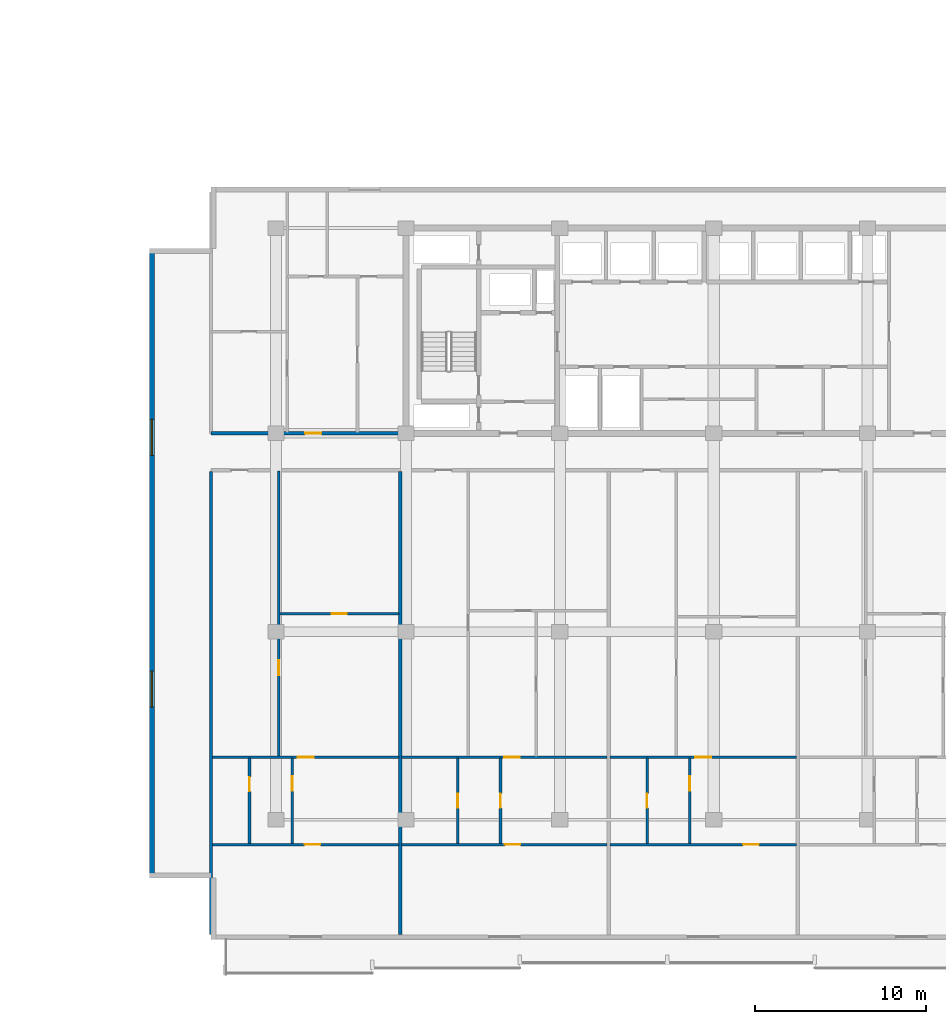
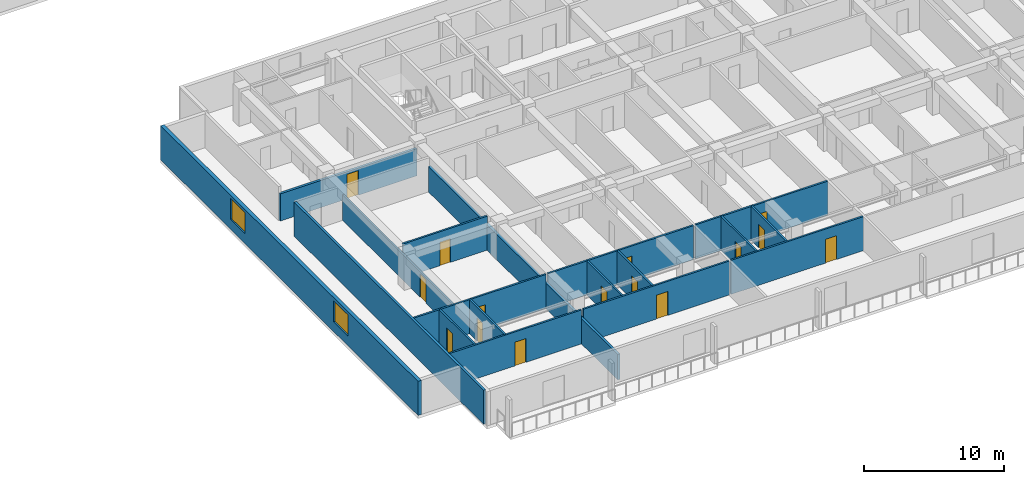
# One storey, part 4 of 23: 18 walls, 15 doors, 2 windows, 17 openings.
"""IFC4 building model written with IfcOpenShell, lengths in metres."""

from ifc_helpers import new_model, si_unit, direction, frame, frame_2d, origin, place, context, subcontext, project, spatial, rectangle, extrude, material, layer, layer_set, type_object, element, fill, save


model = new_model("IFC4")

# Units and contexts
model_context = context("Model", 3, precision=1e-05, world=origin(), true_north=direction((0.0, 1.0)))
body_context = subcontext(model_context, "Body", "Model", "MODEL_VIEW")
ifc_project = project(units=[si_unit("LENGTHUNIT", "METRE"), si_unit("AREAUNIT", "SQUARE_METRE"), si_unit("VOLUMEUNIT", "CUBIC_METRE"), si_unit("PLANEANGLEUNIT", "RADIAN"), si_unit("MASSUNIT", "GRAM", prefix="KILO")], contexts=[model_context])

# Site, building, storey
site_placement = place(None, origin())
site = spatial("IfcSite", under=ifc_project, at=site_placement, CompositionType="ELEMENT")
building_placement = place(site_placement, origin())
building = spatial("IfcBuilding", under=site, at=building_placement, Name="Korimba Cascade Residences", CompositionType="ELEMENT")
storey_placement = place(building_placement, frame((0.0, 0.0, 30.5)))
storey = spatial("IfcBuildingStorey", under=building, at=storey_placement, Name="L07", CompositionType="ELEMENT", Elevation=30.5)

# Wall, openings, windows
ifc_material_1 = material(Name="Precast concrete C40/50", Category="concrete")
ifc_layer_1 = layer(ifc_material_1, 0.300048828125)
ifc_layer_set_1 = layer_set([ifc_layer_1], Name="Precast concrete C40/50")
wall_type_1 = type_object("IfcWallType", Name="EW-STONE-300", PredefinedType="STANDARD", material=ifc_layer_set_1)
wall_1_placement = place(storey_placement, frame((67.25, 29.199951171875, 0.0), z_axis=(0.0, 0.0, 1.0), x_axis=(0.0, -1.0, 0.0)))
wall_1 = element("IfcWall", 1, at=wall_1_placement, inside=storey, type_object=wall_type_1, Name="L07 T2 Perimeter Stone Wall E09", PredefinedType="STANDARD", context=body_context, shape_type="SweptSolid", body=[
    extrude(rectangle(XDim=36.800048828125, YDim=0.300048828125, at=frame_2d((18.39990234375, 0.0))), origin(), (0.0, 0.0, 1.0), 2.969970703125),
])
opening_1_placement = place(wall_1_placement, frame((9.989990234375, 0.0, 0.85009765625)))
opening_1 = element("IfcOpeningElement", 2, at=opening_1_placement, cuts=wall_1, Name="Opening W-03", PredefinedType="OPENING", context=body_context, shape_type="SweptSolid", body=[
    extrude(rectangle(XDim=2.10009765625, YDim=1.85009765625, at=frame_2d((1.050048828125, 0.925048828125))), frame((0.0, 0.16015625, 0.0), z_axis=(0.0, -1.0, 0.0), x_axis=(1.0, 0.0, 0.0)), (0.0, 0.0, 1.0), 0.320068359375),
])
opening_2_placement = place(wall_1_placement, frame((24.7099609375, 0.0, 0.85009765625)))
opening_2 = element("IfcOpeningElement", 3, at=opening_2_placement, cuts=wall_1, Name="Opening W-03", PredefinedType="OPENING", context=body_context, shape_type="SweptSolid", body=[
    extrude(rectangle(XDim=2.10009765625, YDim=1.85009765625, at=frame_2d((1.050048828125, 0.925048828125))), frame((0.0, 0.16015625, 0.0), z_axis=(0.0, -1.0, 0.0), x_axis=(1.0, 0.0, 0.0)), (0.0, 0.0, 1.0), 0.320068359375),
])
ifc_material_2 = material(Name="Double-Glazed Aluminium Window", Category="aluminium")
window_type = type_object("IfcWindowType", Name="WIN-CRN-2100", PartitioningType="DOUBLE_PANEL_HORIZONTAL", PredefinedType="WINDOW", material=ifc_material_2)
window_1_placement = place(opening_1_placement, origin())
window_1 = element("IfcWindow", 4, at=window_1_placement, inside=storey, type_object=window_type, Name="L07 T2 End View Window 9.1", OverallHeight=1.85009765625, OverallWidth=2.10009765625, PartitioningType="DOUBLE_PANEL_HORIZONTAL", PredefinedType="WINDOW", context=body_context, shape_type="SweptSolid", body=[
    extrude(rectangle(XDim=2.10009765625, YDim=1.85009765625, at=frame_2d((1.050048828125, 0.925048828125))), frame((0.0, 0.030029296875, 0.0), z_axis=(0.0, -1.0, 0.0), x_axis=(1.0, 0.0, 0.0)), (0.0, 0.0, 1.0), 0.06005859375),
])
fill(opening_1, window_1)
window_2_placement = place(opening_2_placement, origin())
window_2 = element("IfcWindow", 5, at=window_2_placement, inside=storey, type_object=window_type, Name="L07 T2 End View Window 9.2", OverallHeight=1.85009765625, OverallWidth=2.10009765625, PartitioningType="DOUBLE_PANEL_HORIZONTAL", PredefinedType="WINDOW", context=body_context, shape_type="SweptSolid", body=[
    extrude(rectangle(XDim=2.10009765625, YDim=1.85009765625, at=frame_2d((1.050048828125, 0.925048828125))), frame((0.0, 0.030029296875, 0.0), z_axis=(0.0, -1.0, 0.0), x_axis=(1.0, 0.0, 0.0)), (0.0, 0.0, 1.0), 0.06005859375),
])
fill(opening_2, window_2)

# Wall, opening, door
ifc_layer_2 = layer(ifc_material_1, 0.199951171875)
ifc_layer_set_2 = layer_set([ifc_layer_2], Name="Precast concrete C40/50")
wall_type_2 = type_object("IfcWallType", Name="WAL-IT-200", PredefinedType="PARTITIONING", material=ifc_layer_set_2)
wall_2_placement = place(storey_placement, frame((70.699951171875, 18.39990234375, 0.0), z_axis=(0.0, 0.0, 1.0), x_axis=(1.0, 0.0, 0.0)))
wall_2 = element("IfcWall", 6, at=wall_2_placement, inside=storey, type_object=wall_type_2, Name="L07 Partition Wall WAL-L07-T2-FW-S", PredefinedType="PARTITIONING", context=body_context, shape_type="SweptSolid", body=[
    extrude(rectangle(XDim=11.25, YDim=0.199951171875, at=frame_2d((5.625, 0.0))), origin(), (0.0, 0.0, 1.0), 2.3701171875),
])
opening_3_placement = place(wall_2_placement, frame((5.50634765625, 0.0, 0.0)))
opening_3 = element("IfcOpeningElement", 7, at=opening_3_placement, cuts=wall_2, Name="Opening D-UN1", PredefinedType="OPENING", context=body_context, shape_type="SweptSolid", body=[
    extrude(rectangle(XDim=0.949951171875, YDim=2.14990234375, at=frame_2d((0.47509765625, 1.074951171875))), frame((0.0, 0.10986328125, 0.0), z_axis=(0.0, -1.0, 0.0), x_axis=(1.0, 0.0, 0.0)), (0.0, 0.0, 1.0), 0.219970703125),
])
ifc_material_3 = material(Name="Fire-Rated Hardwood Apartment Entrance Door", Category="wood")
door_type_1 = type_object("IfcDoorType", Name="DR-FD60-950", OperationType="NOTDEFINED", PredefinedType="DOOR", material=ifc_material_3)
door_1_placement = place(opening_3_placement, origin())
door_1 = element("IfcDoor", 8, at=door_1_placement, inside=storey, type_object=door_type_1, Name="L07-T2-FW Entrance Door", OperationType="SINGLE_SWING_LEFT", OverallHeight=2.14990234375, OverallWidth=0.949951171875, PredefinedType="DOOR", context=body_context, shape_type="SweptSolid", body=[
    extrude(rectangle(XDim=0.949951171875, YDim=2.14990234375, at=frame_2d((0.47509765625, 1.074951171875))), frame((0.0, 0.02490234375, 0.0), z_axis=(0.0, -1.0, 0.0), x_axis=(1.0, 0.0, 0.0)), (0.0, 0.0, 1.0), 0.050048828125),
])
fill(opening_3, door_1)

# Walls
wall_3_placement = place(storey_placement, frame((70.699951171875, -10.89990234375, 0.0), z_axis=(0.0, 0.0, 1.0), x_axis=(0.0, 1.0, 0.0)))
element("IfcWall", 9, at=wall_3_placement, inside=storey, type_object=wall_type_2, Name="L07 Partition Wall WAL-L07-T2-BNDWL", PredefinedType="PARTITIONING", context=body_context, shape_type="SweptSolid", body=[
    extrude(rectangle(XDim=27.06982421875, YDim=0.199951171875, at=frame_2d((13.534912109375, 0.0))), origin(), (0.0, 0.0, 1.0), 2.969970703125),
])
wall_4_placement = place(storey_placement, frame((81.771484375, -10.89990234375, 0.0), z_axis=(0.0, 0.0, 1.0), x_axis=(0.0, 1.0, 0.0)))
element("IfcWall", 10, at=wall_4_placement, inside=storey, type_object=wall_type_2, Name="L07 Partition Wall WAL-L07-T2-DEM-1", PredefinedType="PARTITIONING", context=body_context, shape_type="SweptSolid", body=[
    extrude(rectangle(XDim=27.06982421875, YDim=0.199951171875, at=frame_2d((13.534912109375, 0.0))), origin(), (0.0, 0.0, 1.0), 2.219970703125),
])

# Wall, opening, door
ifc_material_4 = material(Name="Insulated Acoustic Stud Partition", Category="gypsum")
ifc_layer_3 = layer(ifc_material_4, 0.14990234375)
ifc_layer_set_3 = layer_set([ifc_layer_3], Name="Insulated Acoustic Stud Partition")
wall_type_3 = type_object("IfcWallType", Name="WAL-PART-150", PredefinedType="PARTITIONING", material=ifc_layer_set_3)
wall_5_placement = place(storey_placement, frame((74.72998046875, 7.840087890625, 0.0), z_axis=(0.0, 0.0, 1.0), x_axis=(1.0, 0.0, 0.0)))
wall_5 = element("IfcWall", 11, at=wall_5_placement, inside=storey, type_object=wall_type_3, Name="L07 Partition Wall WAL-L07-T2-U01-FMH", PredefinedType="PARTITIONING", context=body_context, shape_type="SweptSolid", body=[
    extrude(rectangle(XDim=6.96142578125, YDim=0.14990234375, at=frame_2d((3.480712890625, 0.0))), origin(), (0.0, 0.0, 1.0), 2.969970703125),
])
opening_4_placement = place(wall_5_placement, frame((3.040771484375, 0.0, 0.0)))
opening_4 = element("IfcOpeningElement", 12, at=opening_4_placement, cuts=wall_5, Name="Opening D-IN2", PredefinedType="OPENING", context=body_context, shape_type="SweptSolid", body=[
    extrude(rectangle(XDim=0.8798828125, YDim=2.06005859375, at=frame_2d((0.43994140625, 1.030029296875))), frame((0.0, 0.0849609375, 0.0), z_axis=(0.0, -1.0, 0.0), x_axis=(1.0, 0.0, 0.0)), (0.0, 0.0, 1.0), 0.169921875),
])
ifc_material_5 = material(Name="Acoustic Timber Bedroom Door", Category="wood")
door_type_2 = type_object("IfcDoorType", Name="DR-INT-880", OperationType="NOTDEFINED", PredefinedType="DOOR", material=ifc_material_5)
door_2_placement = place(opening_4_placement, origin())
door_2 = element("IfcDoor", 13, at=door_2_placement, inside=storey, type_object=door_type_2, Name="L07-T2-U01 Library Salon Door", OperationType="SINGLE_SWING_RIGHT", OverallHeight=2.06005859375, OverallWidth=0.8798828125, PredefinedType="DOOR", context=body_context, shape_type="SweptSolid", body=[
    extrude(rectangle(XDim=0.8798828125, YDim=2.06005859375, at=frame_2d((0.43994140625, 1.030029296875))), frame((0.0, 0.02490234375, 0.0), z_axis=(0.0, -1.0, 0.0), x_axis=(1.0, 0.0, 0.0)), (0.0, 0.0, 1.0), 0.050048828125),
])
fill(opening_4, door_2)

wall_6_placement = place(storey_placement, frame((74.669921875, -0.510009765625, 0.0), z_axis=(0.0, 0.0, 1.0), x_axis=(0.0, 1.0, 0.0)))
wall_6 = element("IfcWall", 14, at=wall_6_placement, inside=storey, type_object=wall_type_3, Name="L07 Partition Wall WAL-L07-T2-U01-FV", PredefinedType="PARTITIONING", context=body_context, shape_type="SweptSolid", body=[
    extrude(rectangle(XDim=16.699951171875, YDim=0.14990234375, at=frame_2d((8.35009765625, 0.0))), origin(), (0.0, 0.0, 1.0), 2.219970703125),
])
opening_5_placement = place(wall_6_placement, frame((4.746826171875, 0.0, 0.0)))
opening_5 = element("IfcOpeningElement", 15, at=opening_5_placement, cuts=wall_6, Name="Opening D-IN2", PredefinedType="OPENING", context=body_context, shape_type="SweptSolid", body=[
    extrude(rectangle(XDim=0.8798828125, YDim=2.06005859375, at=frame_2d((0.43994140625, 1.030029296875))), frame((0.0, 0.0849609375, 0.0), z_axis=(0.0, -1.0, 0.0), x_axis=(1.0, 0.0, 0.0)), (0.0, 0.0, 1.0), 0.169921875),
])
door_3_placement = place(opening_5_placement, origin())
door_3 = element("IfcDoor", 16, at=door_3_placement, inside=storey, type_object=door_type_2, Name="L07-T2-U01 Media Lounge Door", OperationType="SINGLE_SWING_LEFT", OverallHeight=2.06005859375, OverallWidth=0.8798828125, PredefinedType="DOOR", context=body_context, shape_type="SweptSolid", body=[
    extrude(rectangle(XDim=0.8798828125, YDim=2.06005859375, at=frame_2d((0.43994140625, 1.030029296875))), frame((0.0, 0.02490234375, 0.0), z_axis=(0.0, -1.0, 0.0), x_axis=(1.0, 0.0, 0.0)), (0.0, 0.0, 1.0), 0.050048828125),
])
fill(opening_5, door_3)

wall_7_placement = place(storey_placement, frame((72.951416015625, -5.590087890625, 0.0), z_axis=(0.0, 0.0, 1.0), x_axis=(0.0, 1.0, 0.0)))
wall_7 = element("IfcWall", 17, at=wall_7_placement, inside=storey, type_object=wall_type_3, Name="L07 Partition Wall WAL-L07-T2-U01-CLS", PredefinedType="PARTITIONING", context=body_context, shape_type="SweptSolid", body=[
    extrude(rectangle(XDim=5.0, YDim=0.14990234375, at=frame_2d((2.5, 0.0))), origin(), (0.0, 0.0, 1.0), 2.969970703125),
])
opening_6_placement = place(wall_7_placement, frame((3.048828125, 0.0, 0.0)))
opening_6 = element("IfcOpeningElement", 18, at=opening_6_placement, cuts=wall_7, Name="Opening D-BT1", PredefinedType="OPENING", context=body_context, shape_type="SweptSolid", body=[
    extrude(rectangle(XDim=0.840087890625, YDim=2.0400390625, at=frame_2d((0.419921875, 1.02001953125))), frame((0.0, 0.0849609375, 0.0), z_axis=(0.0, -1.0, 0.0), x_axis=(1.0, 0.0, 0.0)), (0.0, 0.0, 1.0), 0.169921875),
])
ifc_material_6 = material(Name="Moisture-Resistant Bathroom Timber Door", Category="wood")
door_type_3 = type_object("IfcDoorType", Name="DR-INT-850", OperationType="NOTDEFINED", PredefinedType="DOOR", material=ifc_material_6)
door_4_placement = place(opening_6_placement, origin())
door_4 = element("IfcDoor", 19, at=door_4_placement, inside=storey, type_object=door_type_3, Name="L07-T2-U01 Closet Door", OperationType="SINGLE_SWING_RIGHT", OverallHeight=2.0400390625, OverallWidth=0.840087890625, PredefinedType="DOOR", context=body_context, shape_type="SweptSolid", body=[
    extrude(rectangle(XDim=0.840087890625, YDim=2.0400390625, at=frame_2d((0.419921875, 1.02001953125))), frame((0.0, 0.02490234375, 0.0), z_axis=(0.0, -1.0, 0.0), x_axis=(1.0, 0.0, 0.0)), (0.0, 0.0, 1.0), 0.050048828125),
])
fill(opening_6, door_4)

wall_8_placement = place(storey_placement, frame((75.451416015625, -5.590087890625, 0.0), z_axis=(0.0, 0.0, 1.0), x_axis=(0.0, 1.0, 0.0)))
wall_8 = element("IfcWall", 20, at=wall_8_placement, inside=storey, type_object=wall_type_3, Name="L07 Partition Wall WAL-L07-T2-U01-BM", PredefinedType="PARTITIONING", context=body_context, shape_type="SweptSolid", body=[
    extrude(rectangle(XDim=5.0, YDim=0.14990234375, at=frame_2d((2.5, 0.0))), origin(), (0.0, 0.0, 1.0), 2.969970703125),
])
opening_7_placement = place(wall_8_placement, frame((3.087890625, 0.0, 0.0)))
opening_7 = element("IfcOpeningElement", 21, at=opening_7_placement, cuts=wall_8, Name="Opening D-BT1", PredefinedType="OPENING", context=body_context, shape_type="SweptSolid", body=[
    extrude(rectangle(XDim=0.840087890625, YDim=2.0400390625, at=frame_2d((0.419921875, 1.02001953125))), frame((0.0, 0.0849609375, 0.0), z_axis=(0.0, -1.0, 0.0), x_axis=(1.0, 0.0, 0.0)), (0.0, 0.0, 1.0), 0.169921875),
])
door_5_placement = place(opening_7_placement, origin())
door_5 = element("IfcDoor", 22, at=door_5_placement, inside=storey, type_object=door_type_3, Name="L07-T2-U01 Bathroom Door", OperationType="SINGLE_SWING_LEFT", OverallHeight=2.0400390625, OverallWidth=0.840087890625, PredefinedType="DOOR", context=body_context, shape_type="SweptSolid", body=[
    extrude(rectangle(XDim=0.840087890625, YDim=2.0400390625, at=frame_2d((0.419921875, 1.02001953125))), frame((0.0, 0.02490234375, 0.0), z_axis=(0.0, -1.0, 0.0), x_axis=(1.0, 0.0, 0.0)), (0.0, 0.0, 1.0), 0.050048828125),
])
fill(opening_7, door_5)

wall_9_placement = place(storey_placement, frame((70.780029296875, -0.550048828125, 0.0), z_axis=(0.0, 0.0, 1.0), x_axis=(1.0, 0.0, 0.0)))
wall_9 = element("IfcWall", 23, at=wall_9_placement, inside=storey, type_object=wall_type_3, Name="L07 Partition Wall WAL-L07-T2-U01-MW", PredefinedType="PARTITIONING", context=body_context, shape_type="SweptSolid", body=[
    extrude(rectangle(XDim=10.911376953125, YDim=0.14990234375, at=frame_2d((5.45556640625, 0.0))), origin(), (0.0, 0.0, 1.0), 2.969970703125),
])
opening_8_placement = place(wall_9_placement, frame((4.99560546875, 0.0, 0.0)))
opening_8 = element("IfcOpeningElement", 24, at=opening_8_placement, cuts=wall_9, Name="Opening D-IN1", PredefinedType="OPENING", context=body_context, shape_type="SweptSolid", body=[
    extrude(rectangle(XDim=0.919921875, YDim=2.080078125, at=frame_2d((0.4599609375, 1.0400390625))), frame((0.0, 0.0849609375, 0.0), z_axis=(0.0, -1.0, 0.0), x_axis=(1.0, 0.0, 0.0)), (0.0, 0.0, 1.0), 0.169921875),
])
ifc_material_7 = material(Name="Acoustic Timber Living Door", Category="wood")
door_type_4 = type_object("IfcDoorType", Name="DR-INT-920", OperationType="NOTDEFINED", PredefinedType="DOOR", material=ifc_material_7)
door_6_placement = place(opening_8_placement, origin())
door_6 = element("IfcDoor", 25, at=door_6_placement, inside=storey, type_object=door_type_4, Name="L07-T2-U01 Studio Kitchen Door", OperationType="SINGLE_SWING_RIGHT", OverallHeight=2.080078125, OverallWidth=0.919921875, PredefinedType="DOOR", context=body_context, shape_type="SweptSolid", body=[
    extrude(rectangle(XDim=0.919921875, YDim=2.080078125, at=frame_2d((0.4599609375, 1.0400390625))), frame((0.0, 0.02490234375, 0.0), z_axis=(0.0, -1.0, 0.0), x_axis=(1.0, 0.0, 0.0)), (0.0, 0.0, 1.0), 0.050048828125),
])
fill(opening_8, door_6)

wall_10_placement = place(storey_placement, frame((70.780029296875, -5.64990234375, 0.0), z_axis=(0.0, 0.0, 1.0), x_axis=(1.0, 0.0, 0.0)))
wall_10 = element("IfcWall", 26, at=wall_10_placement, inside=storey, type_object=wall_type_3, Name="L07 Partition Wall WAL-L07-T2-U01-HZ", PredefinedType="PARTITIONING", context=body_context, shape_type="SweptSolid", body=[
    extrude(rectangle(XDim=10.911376953125, YDim=0.14990234375, at=frame_2d((5.45556640625, 0.0))), origin(), (0.0, 0.0, 1.0), 2.969970703125),
])
opening_9_placement = place(wall_10_placement, frame((5.3994140625, 0.0, 0.0)))
opening_9 = element("IfcOpeningElement", 27, at=opening_9_placement, cuts=wall_10, Name="Opening D-IN1", PredefinedType="OPENING", context=body_context, shape_type="SweptSolid", body=[
    extrude(rectangle(XDim=0.919921875, YDim=2.080078125, at=frame_2d((0.4599609375, 1.0400390625))), frame((0.0, 0.0849609375, 0.0), z_axis=(0.0, -1.0, 0.0), x_axis=(1.0, 0.0, 0.0)), (0.0, 0.0, 1.0), 0.169921875),
])
door_7_placement = place(opening_9_placement, origin())
door_7 = element("IfcDoor", 28, at=door_7_placement, inside=storey, type_object=door_type_4, Name="L07-T2-U01 Studio Door", OperationType="SINGLE_SWING_LEFT", OverallHeight=2.080078125, OverallWidth=0.919921875, PredefinedType="DOOR", context=body_context, shape_type="SweptSolid", body=[
    extrude(rectangle(XDim=0.919921875, YDim=2.080078125, at=frame_2d((0.4599609375, 1.0400390625))), frame((0.0, 0.02490234375, 0.0), z_axis=(0.0, -1.0, 0.0), x_axis=(1.0, 0.0, 0.0)), (0.0, 0.0, 1.0), 0.050048828125),
])
fill(opening_9, door_7)

wall_11_placement = place(storey_placement, frame((85.1298828125, -5.590087890625, 0.0), z_axis=(0.0, 0.0, 1.0), x_axis=(0.0, 1.0, 0.0)))
wall_11 = element("IfcWall", 29, at=wall_11_placement, inside=storey, type_object=wall_type_3, Name="L07 Partition Wall WAL-L07-T2-U02-CLS", PredefinedType="PARTITIONING", context=body_context, shape_type="SweptSolid", body=[
    extrude(rectangle(XDim=5.0, YDim=0.14990234375, at=frame_2d((2.5, 0.0))), origin(), (0.0, 0.0, 1.0), 2.969970703125),
])
opening_10_placement = place(wall_11_placement, frame((2.080078125, 0.0, 0.0)))
opening_10 = element("IfcOpeningElement", 30, at=opening_10_placement, cuts=wall_11, Name="Opening D-BT1", PredefinedType="OPENING", context=body_context, shape_type="SweptSolid", body=[
    extrude(rectangle(XDim=0.840087890625, YDim=2.0400390625, at=frame_2d((0.419921875, 1.02001953125))), frame((0.0, 0.0849609375, 0.0), z_axis=(0.0, -1.0, 0.0), x_axis=(1.0, 0.0, 0.0)), (0.0, 0.0, 1.0), 0.169921875),
])
door_8_placement = place(opening_10_placement, origin())
door_8 = element("IfcDoor", 31, at=door_8_placement, inside=storey, type_object=door_type_3, Name="L07-T2-U02 Closet Door", OperationType="SINGLE_SWING_LEFT", OverallHeight=2.0400390625, OverallWidth=0.840087890625, PredefinedType="DOOR", context=body_context, shape_type="SweptSolid", body=[
    extrude(rectangle(XDim=0.840087890625, YDim=2.0400390625, at=frame_2d((0.419921875, 1.02001953125))), frame((0.0, 0.02490234375, 0.0), z_axis=(0.0, -1.0, 0.0), x_axis=(1.0, 0.0, 0.0)), (0.0, 0.0, 1.0), 0.050048828125),
])
fill(opening_10, door_8)

wall_12_placement = place(storey_placement, frame((87.6298828125, -5.590087890625, 0.0), z_axis=(0.0, 0.0, 1.0), x_axis=(0.0, 1.0, 0.0)))
wall_12 = element("IfcWall", 32, at=wall_12_placement, inside=storey, type_object=wall_type_3, Name="L07 Partition Wall WAL-L07-T2-U02-BM", PredefinedType="PARTITIONING", context=body_context, shape_type="SweptSolid", body=[
    extrude(rectangle(XDim=5.0, YDim=0.14990234375, at=frame_2d((2.5, 0.0))), origin(), (0.0, 0.0, 1.0), 2.969970703125),
])
opening_11_placement = place(wall_12_placement, frame((2.080078125, 0.0, 0.0)))
opening_11 = element("IfcOpeningElement", 33, at=opening_11_placement, cuts=wall_12, Name="Opening D-BT1", PredefinedType="OPENING", context=body_context, shape_type="SweptSolid", body=[
    extrude(rectangle(XDim=0.840087890625, YDim=2.0400390625, at=frame_2d((0.419921875, 1.02001953125))), frame((0.0, 0.0849609375, 0.0), z_axis=(0.0, -1.0, 0.0), x_axis=(1.0, 0.0, 0.0)), (0.0, 0.0, 1.0), 0.169921875),
])
door_9_placement = place(opening_11_placement, origin())
door_9 = element("IfcDoor", 34, at=door_9_placement, inside=storey, type_object=door_type_3, Name="L07-T2-U02 Bathroom Door", OperationType="SINGLE_SWING_RIGHT", OverallHeight=2.0400390625, OverallWidth=0.840087890625, PredefinedType="DOOR", context=body_context, shape_type="SweptSolid", body=[
    extrude(rectangle(XDim=0.840087890625, YDim=2.0400390625, at=frame_2d((0.419921875, 1.02001953125))), frame((0.0, 0.02490234375, 0.0), z_axis=(0.0, -1.0, 0.0), x_axis=(1.0, 0.0, 0.0)), (0.0, 0.0, 1.0), 0.050048828125),
])
fill(opening_11, door_9)

wall_13_placement = place(storey_placement, frame((81.851318359375, -0.550048828125, 0.0), z_axis=(0.0, 0.0, 1.0), x_axis=(1.0, 0.0, 0.0)))
wall_13 = element("IfcWall", 35, at=wall_13_placement, inside=storey, type_object=wall_type_3, Name="L07 Partition Wall WAL-L07-T2-U02-MW", PredefinedType="PARTITIONING", context=body_context, shape_type="SweptSolid", body=[
    extrude(rectangle(XDim=12.018798828125, YDim=0.14990234375, at=frame_2d((6.00927734375, 0.0))), origin(), (0.0, 0.0, 1.0), 2.969970703125),
])
opening_12_placement = place(wall_13_placement, frame((5.99853515625, 0.0, 0.0)))
opening_12 = element("IfcOpeningElement", 36, at=opening_12_placement, cuts=wall_13, Name="Opening D-IN1", PredefinedType="OPENING", context=body_context, shape_type="SweptSolid", body=[
    extrude(rectangle(XDim=0.919921875, YDim=2.080078125, at=frame_2d((0.4599609375, 1.0400390625))), frame((0.0, 0.0849609375, 0.0), z_axis=(0.0, -1.0, 0.0), x_axis=(1.0, 0.0, 0.0)), (0.0, 0.0, 1.0), 0.169921875),
])
door_10_placement = place(opening_12_placement, origin())
door_10 = element("IfcDoor", 37, at=door_10_placement, inside=storey, type_object=door_type_4, Name="L07-T2-U02 Studio Kitchen Door", OperationType="SINGLE_SWING_LEFT", OverallHeight=2.080078125, OverallWidth=0.919921875, PredefinedType="DOOR", context=body_context, shape_type="SweptSolid", body=[
    extrude(rectangle(XDim=0.919921875, YDim=2.080078125, at=frame_2d((0.4599609375, 1.0400390625))), frame((0.0, 0.02490234375, 0.0), z_axis=(0.0, -1.0, 0.0), x_axis=(1.0, 0.0, 0.0)), (0.0, 0.0, 1.0), 0.050048828125),
])
fill(opening_12, door_10)

wall_14_placement = place(storey_placement, frame((81.851318359375, -5.64990234375, 0.0), z_axis=(0.0, 0.0, 1.0), x_axis=(1.0, 0.0, 0.0)))
wall_14 = element("IfcWall", 38, at=wall_14_placement, inside=storey, type_object=wall_type_3, Name="L07 Partition Wall WAL-L07-T2-U02-HZ", PredefinedType="PARTITIONING", context=body_context, shape_type="SweptSolid", body=[
    extrude(rectangle(XDim=12.018798828125, YDim=0.14990234375, at=frame_2d((6.00927734375, 0.0))), origin(), (0.0, 0.0, 1.0), 2.969970703125),
])
opening_13_placement = place(wall_14_placement, frame((6.028564453125, 0.0, 0.0)))
opening_13 = element("IfcOpeningElement", 39, at=opening_13_placement, cuts=wall_14, Name="Opening D-IN1", PredefinedType="OPENING", context=body_context, shape_type="SweptSolid", body=[
    extrude(rectangle(XDim=0.919921875, YDim=2.080078125, at=frame_2d((0.4599609375, 1.0400390625))), frame((0.0, 0.0849609375, 0.0), z_axis=(0.0, -1.0, 0.0), x_axis=(1.0, 0.0, 0.0)), (0.0, 0.0, 1.0), 0.169921875),
])
door_11_placement = place(opening_13_placement, origin())
door_11 = element("IfcDoor", 40, at=door_11_placement, inside=storey, type_object=door_type_4, Name="L07-T2-U02 Studio Door", OperationType="SINGLE_SWING_RIGHT", OverallHeight=2.080078125, OverallWidth=0.919921875, PredefinedType="DOOR", context=body_context, shape_type="SweptSolid", body=[
    extrude(rectangle(XDim=0.919921875, YDim=2.080078125, at=frame_2d((0.4599609375, 1.0400390625))), frame((0.0, 0.02490234375, 0.0), z_axis=(0.0, -1.0, 0.0), x_axis=(1.0, 0.0, 0.0)), (0.0, 0.0, 1.0), 0.050048828125),
])
fill(opening_13, door_11)

wall_15_placement = place(storey_placement, frame((96.201416015625, -5.590087890625, 0.0), z_axis=(0.0, 0.0, 1.0), x_axis=(0.0, 1.0, 0.0)))
wall_15 = element("IfcWall", 41, at=wall_15_placement, inside=storey, type_object=wall_type_3, Name="L07 Partition Wall WAL-L07-T2-U03-CLS", PredefinedType="PARTITIONING", context=body_context, shape_type="SweptSolid", body=[
    extrude(rectangle(XDim=5.0, YDim=0.14990234375, at=frame_2d((2.5, 0.0))), origin(), (0.0, 0.0, 1.0), 2.969970703125),
])
opening_14_placement = place(wall_15_placement, frame((2.080078125, 0.0, 0.0)))
opening_14 = element("IfcOpeningElement", 42, at=opening_14_placement, cuts=wall_15, Name="Opening D-BT1", PredefinedType="OPENING", context=body_context, shape_type="SweptSolid", body=[
    extrude(rectangle(XDim=0.840087890625, YDim=2.0400390625, at=frame_2d((0.419921875, 1.02001953125))), frame((0.0, 0.0849609375, 0.0), z_axis=(0.0, -1.0, 0.0), x_axis=(1.0, 0.0, 0.0)), (0.0, 0.0, 1.0), 0.169921875),
])
door_12_placement = place(opening_14_placement, origin())
door_12 = element("IfcDoor", 43, at=door_12_placement, inside=storey, type_object=door_type_3, Name="L07-T2-U03 Closet Door", OperationType="SINGLE_SWING_LEFT", OverallHeight=2.0400390625, OverallWidth=0.840087890625, PredefinedType="DOOR", context=body_context, shape_type="SweptSolid", body=[
    extrude(rectangle(XDim=0.840087890625, YDim=2.0400390625, at=frame_2d((0.419921875, 1.02001953125))), frame((0.0, 0.02490234375, 0.0), z_axis=(0.0, -1.0, 0.0), x_axis=(1.0, 0.0, 0.0)), (0.0, 0.0, 1.0), 0.050048828125),
])
fill(opening_14, door_12)

wall_16_placement = place(storey_placement, frame((98.701416015625, -5.590087890625, 0.0), z_axis=(0.0, 0.0, 1.0), x_axis=(0.0, 1.0, 0.0)))
wall_16 = element("IfcWall", 44, at=wall_16_placement, inside=storey, type_object=wall_type_3, Name="L07 Partition Wall WAL-L07-T2-U03-BM", PredefinedType="PARTITIONING", context=body_context, shape_type="SweptSolid", body=[
    extrude(rectangle(XDim=5.0, YDim=0.14990234375, at=frame_2d((2.5, 0.0))), origin(), (0.0, 0.0, 1.0), 2.969970703125),
])
opening_15_placement = place(wall_16_placement, frame((3.087890625, 0.0, 0.0)))
opening_15 = element("IfcOpeningElement", 45, at=opening_15_placement, cuts=wall_16, Name="Opening D-BT1", PredefinedType="OPENING", context=body_context, shape_type="SweptSolid", body=[
    extrude(rectangle(XDim=0.840087890625, YDim=2.0400390625, at=frame_2d((0.419921875, 1.02001953125))), frame((0.0, 0.0849609375, 0.0), z_axis=(0.0, -1.0, 0.0), x_axis=(1.0, 0.0, 0.0)), (0.0, 0.0, 1.0), 0.169921875),
])
door_13_placement = place(opening_15_placement, origin())
door_13 = element("IfcDoor", 46, at=door_13_placement, inside=storey, type_object=door_type_3, Name="L07-T2-U03 Bathroom Door", OperationType="SINGLE_SWING_RIGHT", OverallHeight=2.0400390625, OverallWidth=0.840087890625, PredefinedType="DOOR", context=body_context, shape_type="SweptSolid", body=[
    extrude(rectangle(XDim=0.840087890625, YDim=2.0400390625, at=frame_2d((0.419921875, 1.02001953125))), frame((0.0, 0.02490234375, 0.0), z_axis=(0.0, -1.0, 0.0), x_axis=(1.0, 0.0, 0.0)), (0.0, 0.0, 1.0), 0.050048828125),
])
fill(opening_15, door_13)

wall_17_placement = place(storey_placement, frame((94.030029296875, -0.550048828125, 0.0), z_axis=(0.0, 0.0, 1.0), x_axis=(1.0, 0.0, 0.0)))
wall_17 = element("IfcWall", 47, at=wall_17_placement, inside=storey, type_object=wall_type_3, Name="L07 Partition Wall WAL-L07-T2-U03-MW", PredefinedType="PARTITIONING", context=body_context, shape_type="SweptSolid", body=[
    extrude(rectangle(XDim=10.911376953125, YDim=0.14990234375, at=frame_2d((5.45556640625, 0.0))), origin(), (0.0, 0.0, 1.0), 2.969970703125),
])
opening_16_placement = place(wall_17_placement, frame((4.99560546875, 0.0, 0.0)))
opening_16 = element("IfcOpeningElement", 48, at=opening_16_placement, cuts=wall_17, Name="Opening D-IN1", PredefinedType="OPENING", context=body_context, shape_type="SweptSolid", body=[
    extrude(rectangle(XDim=0.919921875, YDim=2.080078125, at=frame_2d((0.4599609375, 1.0400390625))), frame((0.0, 0.0849609375, 0.0), z_axis=(0.0, -1.0, 0.0), x_axis=(1.0, 0.0, 0.0)), (0.0, 0.0, 1.0), 0.169921875),
])
door_14_placement = place(opening_16_placement, origin())
door_14 = element("IfcDoor", 49, at=door_14_placement, inside=storey, type_object=door_type_4, Name="L07-T2-U03 Studio Kitchen Door", OperationType="SINGLE_SWING_LEFT", OverallHeight=2.080078125, OverallWidth=0.919921875, PredefinedType="DOOR", context=body_context, shape_type="SweptSolid", body=[
    extrude(rectangle(XDim=0.919921875, YDim=2.080078125, at=frame_2d((0.4599609375, 1.0400390625))), frame((0.0, 0.02490234375, 0.0), z_axis=(0.0, -1.0, 0.0), x_axis=(1.0, 0.0, 0.0)), (0.0, 0.0, 1.0), 0.050048828125),
])
fill(opening_16, door_14)

wall_18_placement = place(storey_placement, frame((94.030029296875, -5.64990234375, 0.0), z_axis=(0.0, 0.0, 1.0), x_axis=(1.0, 0.0, 0.0)))
wall_18 = element("IfcWall", 50, at=wall_18_placement, inside=storey, type_object=wall_type_3, Name="L07 Partition Wall WAL-L07-T2-U03-HZ", PredefinedType="PARTITIONING", context=body_context, shape_type="SweptSolid", body=[
    extrude(rectangle(XDim=10.911376953125, YDim=0.14990234375, at=frame_2d((5.45556640625, 0.0))), origin(), (0.0, 0.0, 1.0), 2.969970703125),
])
opening_17_placement = place(wall_18_placement, frame((7.789306640625, 0.0, 0.0)))
opening_17 = element("IfcOpeningElement", 51, at=opening_17_placement, cuts=wall_18, Name="Opening D-IN1", PredefinedType="OPENING", context=body_context, shape_type="SweptSolid", body=[
    extrude(rectangle(XDim=0.919921875, YDim=2.080078125, at=frame_2d((0.4599609375, 1.0400390625))), frame((0.0, 0.0849609375, 0.0), z_axis=(0.0, -1.0, 0.0), x_axis=(1.0, 0.0, 0.0)), (0.0, 0.0, 1.0), 0.169921875),
])
door_15_placement = place(opening_17_placement, origin())
door_15 = element("IfcDoor", 52, at=door_15_placement, inside=storey, type_object=door_type_4, Name="L07-T2-U03 Studio Door", OperationType="SINGLE_SWING_RIGHT", OverallHeight=2.080078125, OverallWidth=0.919921875, PredefinedType="DOOR", context=body_context, shape_type="SweptSolid", body=[
    extrude(rectangle(XDim=0.919921875, YDim=2.080078125, at=frame_2d((0.4599609375, 1.0400390625))), frame((0.0, 0.02490234375, 0.0), z_axis=(0.0, -1.0, 0.0), x_axis=(1.0, 0.0, 0.0)), (0.0, 0.0, 1.0), 0.050048828125),
])
fill(opening_17, door_15)

save(model, "model.ifc")
